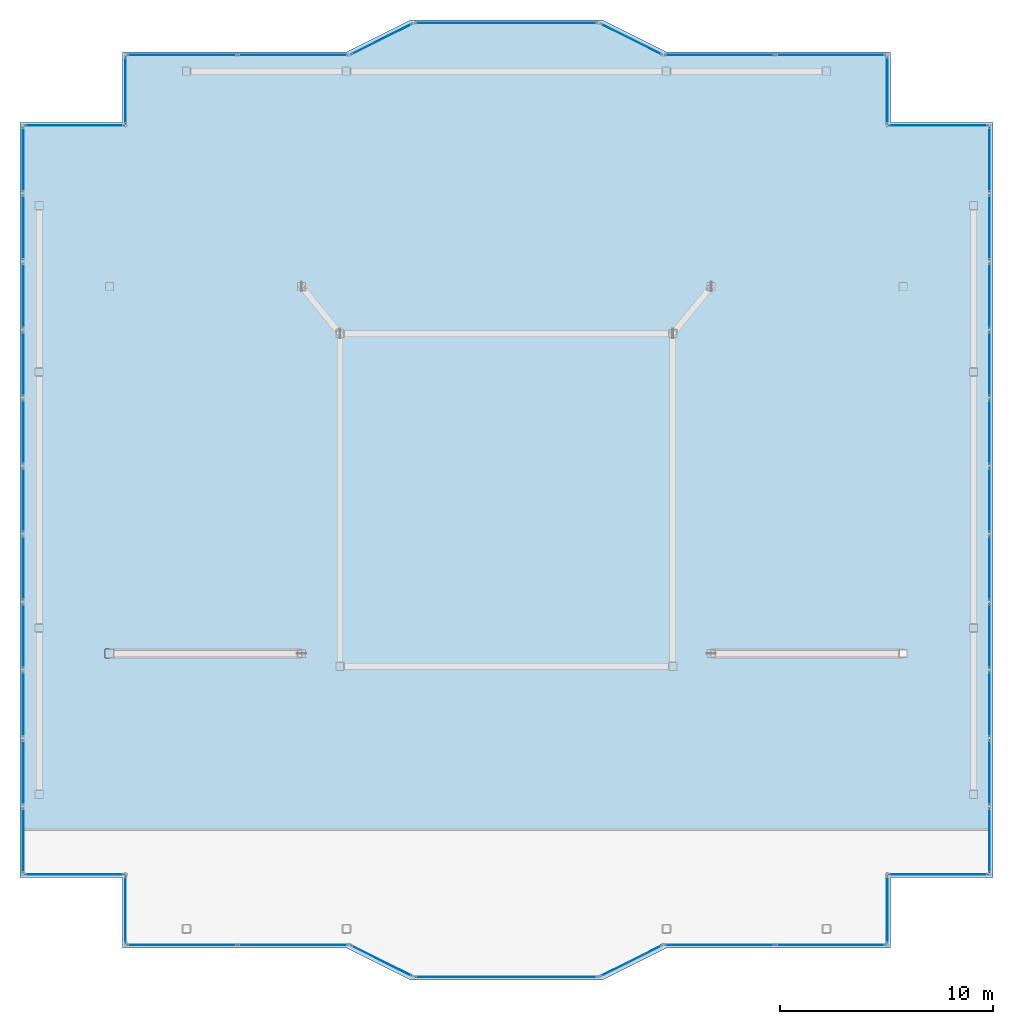
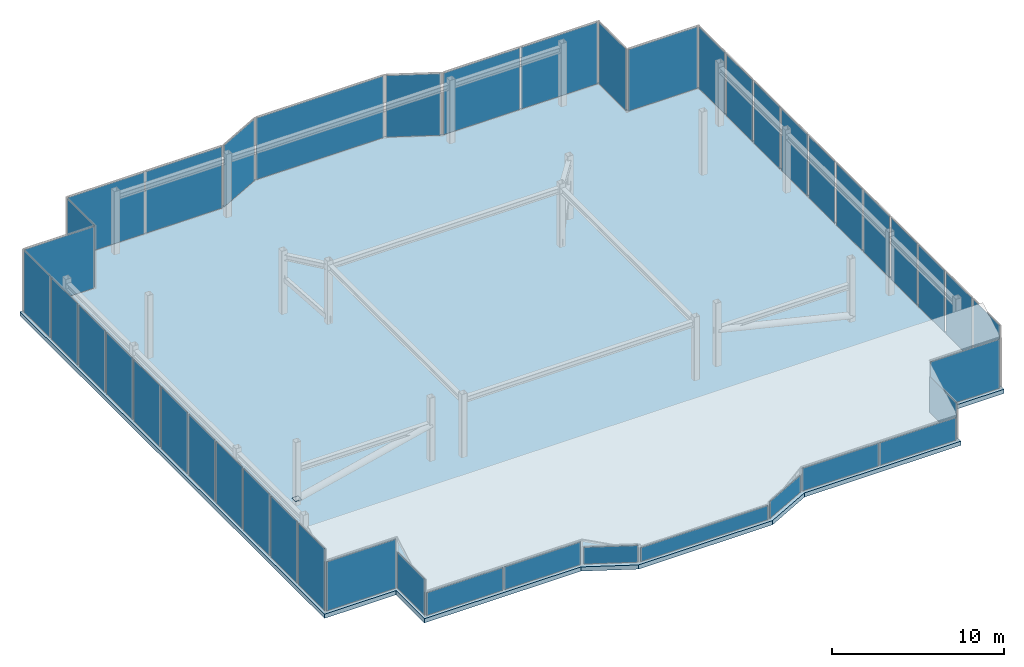
# One storey, part 13 of 16: 45 plates, 1 slab, 40 elements without a shape of their own.
"""IFC4 building model written with IfcOpenShell, lengths in metres."""

from ifc_helpers import new_model, si_unit, direction, frame, origin, origin_2d, place, context, subcontext, project, spatial, polyline, rectangle, outline, extrude, material, layer, layer_set, type_object, element, aggregate, save


model = new_model("IFC4")

# Units and contexts
model_context = context("Model", 3, precision=1e-05, world=origin(), true_north=direction((0.0, 1.0)))
body_context = subcontext(model_context, "Body", "Model", "MODEL_VIEW")
ifc_project = project(units=[si_unit("LENGTHUNIT", "METRE"), si_unit("AREAUNIT", "SQUARE_METRE"), si_unit("VOLUMEUNIT", "CUBIC_METRE"), si_unit("PLANEANGLEUNIT", "RADIAN"), si_unit("MASSUNIT", "GRAM", prefix="KILO")], contexts=[model_context])

# Site, building, storey
site_placement = place(None, origin())
site = spatial("IfcSite", under=ifc_project, at=site_placement, CompositionType="ELEMENT")
building_placement = place(site_placement, origin())
building = spatial("IfcBuilding", under=site, at=building_placement, Name="Tarnavaz Court Tower", CompositionType="ELEMENT")
storey_placement = place(building_placement, frame((0.0, 0.0, 290.550048828125)))
storey = spatial("IfcBuildingStorey", under=building, at=storey_placement, Name="C03", CompositionType="ELEMENT", Elevation=290.550048828125)

# Curtain wall, plates
ifc_material_1 = material(Name="Anodised Aluminium 6063-T6 and Solar Low-E Glazing", Category="aluminium")
ifc_layer_1 = layer(ifc_material_1, 0.2099609375)
ifc_layer_set_1 = layer_set([ifc_layer_1], Name="Anodised Aluminium 6063-T6 and Solar Low-E Glazing")
curtain_wall_type = type_object("IfcCurtainWallType", Name="CW-SYS-06", PredefinedType="NOTDEFINED", material=ifc_layer_set_1)
curtain_wall_1_placement = place(storey_placement, origin())
curtain_wall_1 = element("IfcCurtainWall", 1, at=curtain_wall_1_placement, inside=storey, type_object=curtain_wall_type, Name="C03 Slanted Crown Terracotta Curtain Wall 1", PredefinedType="NOTDEFINED")
ifc_material_2 = material(Name="Double-Glazed Solar Low-E Glass", Category="glass")
ifc_layer_2 = layer(ifc_material_2, 0.028076171875)
ifc_layer_set_2 = layer_set([ifc_layer_2], Name="Double-Glazed Solar Low-E Glass")
plate_type_1 = type_object("IfcPlateType", Name="CW-PAN-GLZ28", PredefinedType="CURTAIN_PANEL", material=ifc_layer_set_2)
plate_1_placement = place(storey_placement, frame((-9.996337890625, -20.85009765625, 0.06494140625), z_axis=(0.0, 0.0, 1.0), x_axis=(-1.0, 0.0, 0.0)))
plate_1 = element("IfcPlate", 2, at=plate_1_placement, type_object=plate_type_1, Name="CW panel 1.1", PredefinedType="CURTAIN_PANEL", context=body_context, shape_type="SweptSolid", body=[
    extrude(rectangle(XDim=5.12255859375, YDim=0.028076171875, at=origin_2d()), origin(), (0.0, 0.0, 1.0), 1.61328125),
])
plate_2_placement = place(storey_placement, frame((-15.203857421875, -20.85009765625, 0.06494140625), z_axis=(0.0, 0.0, 1.0), x_axis=(-1.0, 0.0, 0.0)))
plate_2 = element("IfcPlate", 3, at=plate_2_placement, type_object=plate_type_1, Name="CW panel 2.1", PredefinedType="CURTAIN_PANEL", context=body_context, shape_type="SweptSolid", body=[
    extrude(rectangle(XDim=5.12255859375, YDim=0.028076171875, at=origin_2d()), origin(), (0.0, 0.0, 1.0), 1.61328125),
])
aggregate(curtain_wall_1, [plate_1, plate_2])

# Curtain wall, plate
curtain_wall_2_placement = place(storey_placement, origin())
curtain_wall_2 = element("IfcCurtainWall", 4, at=curtain_wall_2_placement, inside=storey, type_object=curtain_wall_type, Name="C03 Slanted Crown Terracotta Curtain Wall 2", PredefinedType="NOTDEFINED")
plate_3_placement = place(storey_placement, frame((-17.85009765625, -19.199951171875, 0.06494140625), z_axis=(0.0, 0.0, 1.0), x_axis=(0.0, 1.0, 0.0)))
plate_3 = element("IfcPlate", 5, at=plate_3_placement, type_object=plate_type_1, Name="CW panel 1.1", PredefinedType="CURTAIN_PANEL", context=body_context, shape_type="SweptSolid", body=[
    extrude(rectangle(XDim=3.1298828125, YDim=0.028076171875, at=origin_2d()), origin(), (0.0, 0.0, 1.0), 2.54638671875),
])
aggregate(curtain_wall_2, [plate_3])

curtain_wall_3_placement = place(storey_placement, origin())
curtain_wall_3 = element("IfcCurtainWall", 6, at=curtain_wall_3_placement, inside=storey, type_object=curtain_wall_type, Name="C03 Slanted Crown Terracotta Curtain Wall 3", PredefinedType="NOTDEFINED")
plate_4_placement = place(storey_placement, frame((-20.25, -17.550048828125, 0.06494140625), z_axis=(0.0, 0.0, 1.0), x_axis=(-1.0, 0.0, 0.0)))
plate_4 = element("IfcPlate", 7, at=plate_4_placement, type_object=plate_type_1, Name="CW panel 1.1", PredefinedType="CURTAIN_PANEL", context=body_context, shape_type="SweptSolid", body=[
    extrude(rectangle(XDim=4.6298828125, YDim=0.028076171875, at=origin_2d()), origin(), (0.0, 0.0, 1.0), 3.4794921875),
])
aggregate(curtain_wall_3, [plate_4])

curtain_wall_4_placement = place(storey_placement, origin())
curtain_wall_4 = element("IfcCurtainWall", 8, at=curtain_wall_4_placement, inside=storey, type_object=curtain_wall_type, Name="C03 Slanted Crown Terracotta Curtain Wall 4", PredefinedType="NOTDEFINED")
plate_5_placement = place(storey_placement, frame((-22.64990234375, -15.95458984375, 0.06494140625), z_axis=(0.0, 0.0, 1.0), x_axis=(0.0, 1.0, 0.0)))
plate_5 = element("IfcPlate", 9, at=plate_5_placement, type_object=plate_type_1, Name="CW panel 1.1", PredefinedType="CURTAIN_PANEL", context=body_context, shape_type="SweptSolid", body=[
    extrude(rectangle(XDim=3.02099609375, YDim=0.028076171875, at=origin_2d()), origin(), (0.0, 0.0, 1.0), 4.3701171875),
])
aggregate(curtain_wall_4, [plate_5])

curtain_wall_5_placement = place(storey_placement, origin())
curtain_wall_5 = element("IfcCurtainWall", 10, at=curtain_wall_5_placement, inside=storey, type_object=curtain_wall_type, Name="C03 Slanted Crown Terracotta Curtain Wall 5", PredefinedType="NOTDEFINED")
plate_6_placement = place(storey_placement, frame((-22.64990234375, -12.763671875, 0.06494140625), z_axis=(0.0, 0.0, 1.0), x_axis=(0.0, 1.0, 0.0)))
plate_6 = element("IfcPlate", 11, at=plate_6_placement, type_object=plate_type_1, Name="CW panel 1.1", PredefinedType="CURTAIN_PANEL", context=body_context, shape_type="SweptSolid", body=[
    extrude(rectangle(XDim=3.02099609375, YDim=0.028076171875, at=origin_2d()), origin(), (0.0, 0.0, 1.0), 4.3701171875),
])
aggregate(curtain_wall_5, [plate_6])

curtain_wall_6_placement = place(storey_placement, origin())
curtain_wall_6 = element("IfcCurtainWall", 12, at=curtain_wall_6_placement, inside=storey, type_object=curtain_wall_type, Name="C03 Slanted Crown Terracotta Curtain Wall 6", PredefinedType="NOTDEFINED")
plate_7_placement = place(storey_placement, frame((-22.64990234375, -9.57275390625, 0.06494140625), z_axis=(0.0, 0.0, 1.0), x_axis=(0.0, 1.0, 0.0)))
plate_7 = element("IfcPlate", 13, at=plate_7_placement, type_object=plate_type_1, Name="CW panel 1.1", PredefinedType="CURTAIN_PANEL", context=body_context, shape_type="SweptSolid", body=[
    extrude(rectangle(XDim=3.02099609375, YDim=0.028076171875, at=origin_2d()), origin(), (0.0, 0.0, 1.0), 4.3701171875),
])
aggregate(curtain_wall_6, [plate_7])

curtain_wall_7_placement = place(storey_placement, origin())
curtain_wall_7 = element("IfcCurtainWall", 14, at=curtain_wall_7_placement, inside=storey, type_object=curtain_wall_type, Name="C03 Slanted Crown Terracotta Curtain Wall 7", PredefinedType="NOTDEFINED")
plate_8_placement = place(storey_placement, frame((-22.64990234375, -6.3818359375, 0.06494140625), z_axis=(0.0, 0.0, 1.0), x_axis=(0.0, 1.0, 0.0)))
plate_8 = element("IfcPlate", 15, at=plate_8_placement, type_object=plate_type_1, Name="CW panel 1.1", PredefinedType="CURTAIN_PANEL", context=body_context, shape_type="SweptSolid", body=[
    extrude(rectangle(XDim=3.02099609375, YDim=0.028076171875, at=origin_2d()), origin(), (0.0, 0.0, 1.0), 4.3701171875),
])
aggregate(curtain_wall_7, [plate_8])

curtain_wall_8_placement = place(storey_placement, origin())
curtain_wall_8 = element("IfcCurtainWall", 16, at=curtain_wall_8_placement, inside=storey, type_object=curtain_wall_type, Name="C03 Slanted Crown Terracotta Curtain Wall 8", PredefinedType="NOTDEFINED")
plate_9_placement = place(storey_placement, frame((-22.64990234375, -3.19091796875, 0.06494140625), z_axis=(0.0, 0.0, 1.0), x_axis=(0.0, 1.0, 0.0)))
plate_9 = element("IfcPlate", 17, at=plate_9_placement, type_object=plate_type_1, Name="CW panel 1.1", PredefinedType="CURTAIN_PANEL", context=body_context, shape_type="SweptSolid", body=[
    extrude(rectangle(XDim=3.02099609375, YDim=0.028076171875, at=origin_2d()), origin(), (0.0, 0.0, 1.0), 4.3701171875),
])
aggregate(curtain_wall_8, [plate_9])

curtain_wall_9_placement = place(storey_placement, origin())
curtain_wall_9 = element("IfcCurtainWall", 18, at=curtain_wall_9_placement, inside=storey, type_object=curtain_wall_type, Name="C03 Slanted Crown Terracotta Curtain Wall 9", PredefinedType="NOTDEFINED")
plate_10_placement = place(storey_placement, frame((-22.64990234375, 0.0, 0.06494140625), z_axis=(0.0, 0.0, 1.0), x_axis=(0.0, 1.0, 0.0)))
plate_10 = element("IfcPlate", 19, at=plate_10_placement, type_object=plate_type_1, Name="CW panel 1.1", PredefinedType="CURTAIN_PANEL", context=body_context, shape_type="SweptSolid", body=[
    extrude(rectangle(XDim=3.02099609375, YDim=0.028076171875, at=origin_2d()), origin(), (0.0, 0.0, 1.0), 4.3701171875),
])
aggregate(curtain_wall_9, [plate_10])

curtain_wall_10_placement = place(storey_placement, origin())
curtain_wall_10 = element("IfcCurtainWall", 20, at=curtain_wall_10_placement, inside=storey, type_object=curtain_wall_type, Name="C03 Slanted Crown Terracotta Curtain Wall 10", PredefinedType="NOTDEFINED")
plate_11_placement = place(storey_placement, frame((-22.64990234375, 3.19091796875, 0.06494140625), z_axis=(0.0, 0.0, 1.0), x_axis=(0.0, 1.0, 0.0)))
plate_11 = element("IfcPlate", 21, at=plate_11_placement, type_object=plate_type_1, Name="CW panel 1.1", PredefinedType="CURTAIN_PANEL", context=body_context, shape_type="SweptSolid", body=[
    extrude(rectangle(XDim=3.02099609375, YDim=0.028076171875, at=origin_2d()), origin(), (0.0, 0.0, 1.0), 4.3701171875),
])
aggregate(curtain_wall_10, [plate_11])

curtain_wall_11_placement = place(storey_placement, origin())
curtain_wall_11 = element("IfcCurtainWall", 22, at=curtain_wall_11_placement, inside=storey, type_object=curtain_wall_type, Name="C03 Slanted Crown Terracotta Curtain Wall 11", PredefinedType="NOTDEFINED")
plate_12_placement = place(storey_placement, frame((-22.64990234375, 6.3818359375, 0.06494140625), z_axis=(0.0, 0.0, 1.0), x_axis=(0.0, 1.0, 0.0)))
plate_12 = element("IfcPlate", 23, at=plate_12_placement, type_object=plate_type_1, Name="CW panel 1.1", PredefinedType="CURTAIN_PANEL", context=body_context, shape_type="SweptSolid", body=[
    extrude(rectangle(XDim=3.02099609375, YDim=0.028076171875, at=origin_2d()), origin(), (0.0, 0.0, 1.0), 4.3701171875),
])
aggregate(curtain_wall_11, [plate_12])

curtain_wall_12_placement = place(storey_placement, origin())
curtain_wall_12 = element("IfcCurtainWall", 24, at=curtain_wall_12_placement, inside=storey, type_object=curtain_wall_type, Name="C03 Slanted Crown Terracotta Curtain Wall 12", PredefinedType="NOTDEFINED")
plate_13_placement = place(storey_placement, frame((-22.64990234375, 9.57275390625, 0.06494140625), z_axis=(0.0, 0.0, 1.0), x_axis=(0.0, 1.0, 0.0)))
plate_13 = element("IfcPlate", 25, at=plate_13_placement, type_object=plate_type_1, Name="CW panel 1.1", PredefinedType="CURTAIN_PANEL", context=body_context, shape_type="SweptSolid", body=[
    extrude(rectangle(XDim=3.02099609375, YDim=0.028076171875, at=origin_2d()), origin(), (0.0, 0.0, 1.0), 4.3701171875),
])
aggregate(curtain_wall_12, [plate_13])

curtain_wall_13_placement = place(storey_placement, origin())
curtain_wall_13 = element("IfcCurtainWall", 26, at=curtain_wall_13_placement, inside=storey, type_object=curtain_wall_type, Name="C03 Slanted Crown Terracotta Curtain Wall 13", PredefinedType="NOTDEFINED")
plate_14_placement = place(storey_placement, frame((-22.64990234375, 12.763671875, 0.06494140625), z_axis=(0.0, 0.0, 1.0), x_axis=(0.0, 1.0, 0.0)))
plate_14 = element("IfcPlate", 27, at=plate_14_placement, type_object=plate_type_1, Name="CW panel 1.1", PredefinedType="CURTAIN_PANEL", context=body_context, shape_type="SweptSolid", body=[
    extrude(rectangle(XDim=3.02099609375, YDim=0.028076171875, at=origin_2d()), origin(), (0.0, 0.0, 1.0), 4.3701171875),
])
aggregate(curtain_wall_13, [plate_14])

curtain_wall_14_placement = place(storey_placement, origin())
curtain_wall_14 = element("IfcCurtainWall", 28, at=curtain_wall_14_placement, inside=storey, type_object=curtain_wall_type, Name="C03 Slanted Crown Terracotta Curtain Wall 14", PredefinedType="NOTDEFINED")
plate_15_placement = place(storey_placement, frame((-22.64990234375, 15.95458984375, 0.06494140625), z_axis=(0.0, 0.0, 1.0), x_axis=(0.0, 1.0, 0.0)))
plate_15 = element("IfcPlate", 29, at=plate_15_placement, type_object=plate_type_1, Name="CW panel 1.1", PredefinedType="CURTAIN_PANEL", context=body_context, shape_type="SweptSolid", body=[
    extrude(rectangle(XDim=3.02099609375, YDim=0.028076171875, at=origin_2d()), origin(), (0.0, 0.0, 1.0), 4.3701171875),
])
aggregate(curtain_wall_14, [plate_15])

curtain_wall_15_placement = place(storey_placement, origin())
curtain_wall_15 = element("IfcCurtainWall", 30, at=curtain_wall_15_placement, inside=storey, type_object=curtain_wall_type, Name="C03 Slanted Crown Terracotta Curtain Wall 15", PredefinedType="NOTDEFINED")
plate_16_placement = place(storey_placement, frame((-20.25, 17.550048828125, 0.06494140625), z_axis=(0.0, 0.0, 1.0), x_axis=(1.0, 0.0, 0.0)))
plate_16 = element("IfcPlate", 31, at=plate_16_placement, type_object=plate_type_1, Name="CW panel 1.1", PredefinedType="CURTAIN_PANEL", context=body_context, shape_type="SweptSolid", body=[
    extrude(rectangle(XDim=4.6298828125, YDim=0.028076171875, at=origin_2d()), origin(), (0.0, 0.0, 1.0), 4.3701171875),
])
aggregate(curtain_wall_15, [plate_16])

curtain_wall_16_placement = place(storey_placement, origin())
curtain_wall_16 = element("IfcCurtainWall", 32, at=curtain_wall_16_placement, inside=storey, type_object=curtain_wall_type, Name="C03 Slanted Crown Terracotta Curtain Wall 16", PredefinedType="NOTDEFINED")
plate_17_placement = place(storey_placement, frame((-17.85009765625, 19.199951171875, 0.06494140625), z_axis=(0.0, 0.0, 1.0), x_axis=(0.0, 1.0, 0.0)))
plate_17 = element("IfcPlate", 33, at=plate_17_placement, type_object=plate_type_1, Name="CW panel 1.1", PredefinedType="CURTAIN_PANEL", context=body_context, shape_type="SweptSolid", body=[
    extrude(rectangle(XDim=3.1298828125, YDim=0.028076171875, at=origin_2d()), origin(), (0.0, 0.0, 1.0), 4.3701171875),
])
aggregate(curtain_wall_16, [plate_17])

# Curtain wall, plates
curtain_wall_17_placement = place(storey_placement, origin())
curtain_wall_17 = element("IfcCurtainWall", 34, at=curtain_wall_17_placement, inside=storey, type_object=curtain_wall_type, Name="C03 Slanted Crown Terracotta Curtain Wall 17", PredefinedType="NOTDEFINED")
plate_18_placement = place(storey_placement, frame((-15.203857421875, 20.85009765625, 0.06494140625), z_axis=(0.0, 0.0, 1.0), x_axis=(1.0, 0.0, 0.0)))
plate_18 = element("IfcPlate", 35, at=plate_18_placement, type_object=plate_type_1, Name="CW panel 1.1", PredefinedType="CURTAIN_PANEL", context=body_context, shape_type="SweptSolid", body=[
    extrude(rectangle(XDim=5.12255859375, YDim=0.028076171875, at=origin_2d()), origin(), (0.0, 0.0, 1.0), 4.3701171875),
])
plate_19_placement = place(storey_placement, frame((-9.996337890625, 20.85009765625, 0.06494140625), z_axis=(0.0, 0.0, 1.0), x_axis=(1.0, 0.0, 0.0)))
plate_19 = element("IfcPlate", 36, at=plate_19_placement, type_object=plate_type_1, Name="CW panel 2.1", PredefinedType="CURTAIN_PANEL", context=body_context, shape_type="SweptSolid", body=[
    extrude(rectangle(XDim=5.12255859375, YDim=0.028076171875, at=origin_2d()), origin(), (0.0, 0.0, 1.0), 4.3701171875),
])
aggregate(curtain_wall_17, [plate_18, plate_19])

# Curtain wall, plate
curtain_wall_18_placement = place(storey_placement, origin())
curtain_wall_18 = element("IfcCurtainWall", 37, at=curtain_wall_18_placement, inside=storey, type_object=curtain_wall_type, Name="C03 Slanted Crown Terracotta Curtain Wall 18", PredefinedType="NOTDEFINED")
plate_20_placement = place(storey_placement, frame((-5.85009765625, 21.60009765625, 0.06494140625), z_axis=(0.0, 0.0, 1.0), x_axis=(0.894427191001, 0.447213595499, 0.0)))
plate_20 = element("IfcPlate", 38, at=plate_20_placement, type_object=plate_type_1, Name="CW panel 1.1", PredefinedType="CURTAIN_PANEL", context=body_context, shape_type="SweptSolid", body=[
    extrude(rectangle(XDim=3.18408203125, YDim=0.028076171875, at=origin_2d()), origin(), (0.0, 0.0, 1.0), 4.3701171875),
])
aggregate(curtain_wall_18, [plate_20])

curtain_wall_19_placement = place(storey_placement, origin())
curtain_wall_19 = element("IfcCurtainWall", 39, at=curtain_wall_19_placement, inside=storey, type_object=curtain_wall_type, Name="C03 Slanted Crown Terracotta Curtain Wall 19", PredefinedType="NOTDEFINED")
plate_21_placement = place(storey_placement, frame((0.0, 22.35009765625, 0.06494140625), z_axis=(0.0, 0.0, 1.0), x_axis=(1.0, 0.0, 0.0)))
plate_21 = element("IfcPlate", 40, at=plate_21_placement, type_object=plate_type_1, Name="CW panel 1.1", PredefinedType="CURTAIN_PANEL", context=body_context, shape_type="SweptSolid", body=[
    extrude(rectangle(XDim=8.530029296875, YDim=0.028076171875, at=origin_2d()), origin(), (0.0, 0.0, 1.0), 4.3701171875),
])
aggregate(curtain_wall_19, [plate_21])

curtain_wall_20_placement = place(storey_placement, origin())
curtain_wall_20 = element("IfcCurtainWall", 41, at=curtain_wall_20_placement, inside=storey, type_object=curtain_wall_type, Name="C03 Slanted Crown Terracotta Curtain Wall 20", PredefinedType="NOTDEFINED")
plate_22_placement = place(storey_placement, frame((5.85009765625, 21.60009765625, 0.06494140625), z_axis=(0.0, 0.0, 1.0), x_axis=(0.894427191001, -0.447213595499, 0.0)))
plate_22 = element("IfcPlate", 42, at=plate_22_placement, type_object=plate_type_1, Name="CW panel 1.1", PredefinedType="CURTAIN_PANEL", context=body_context, shape_type="SweptSolid", body=[
    extrude(rectangle(XDim=3.18408203125, YDim=0.028076171875, at=origin_2d()), origin(), (0.0, 0.0, 1.0), 4.3701171875),
])
aggregate(curtain_wall_20, [plate_22])

# Curtain wall, plates
curtain_wall_21_placement = place(storey_placement, origin())
curtain_wall_21 = element("IfcCurtainWall", 43, at=curtain_wall_21_placement, inside=storey, type_object=curtain_wall_type, Name="C03 Slanted Crown Terracotta Curtain Wall 21", PredefinedType="NOTDEFINED")
plate_23_placement = place(storey_placement, frame((9.996337890625, 20.85009765625, 0.06494140625), z_axis=(0.0, 0.0, 1.0), x_axis=(1.0, 0.0, 0.0)))
plate_23 = element("IfcPlate", 44, at=plate_23_placement, type_object=plate_type_1, Name="CW panel 1.1", PredefinedType="CURTAIN_PANEL", context=body_context, shape_type="SweptSolid", body=[
    extrude(rectangle(XDim=5.12255859375, YDim=0.028076171875, at=origin_2d()), origin(), (0.0, 0.0, 1.0), 4.3701171875),
])
plate_24_placement = place(storey_placement, frame((15.203857421875, 20.85009765625, 0.06494140625), z_axis=(0.0, 0.0, 1.0), x_axis=(1.0, 0.0, 0.0)))
plate_24 = element("IfcPlate", 45, at=plate_24_placement, type_object=plate_type_1, Name="CW panel 2.1", PredefinedType="CURTAIN_PANEL", context=body_context, shape_type="SweptSolid", body=[
    extrude(rectangle(XDim=5.12255859375, YDim=0.028076171875, at=origin_2d()), origin(), (0.0, 0.0, 1.0), 4.3701171875),
])
aggregate(curtain_wall_21, [plate_23, plate_24])

# Curtain wall, plate
curtain_wall_22_placement = place(storey_placement, origin())
curtain_wall_22 = element("IfcCurtainWall", 46, at=curtain_wall_22_placement, inside=storey, type_object=curtain_wall_type, Name="C03 Slanted Crown Terracotta Curtain Wall 22", PredefinedType="NOTDEFINED")
plate_25_placement = place(storey_placement, frame((17.85009765625, 19.199951171875, 0.06494140625), z_axis=(0.0, 0.0, 1.0), x_axis=(0.0, -1.0, 0.0)))
plate_25 = element("IfcPlate", 47, at=plate_25_placement, type_object=plate_type_1, Name="CW panel 1.1", PredefinedType="CURTAIN_PANEL", context=body_context, shape_type="SweptSolid", body=[
    extrude(rectangle(XDim=3.1298828125, YDim=0.028076171875, at=origin_2d()), origin(), (0.0, 0.0, 1.0), 4.3701171875),
])
aggregate(curtain_wall_22, [plate_25])

curtain_wall_23_placement = place(storey_placement, origin())
curtain_wall_23 = element("IfcCurtainWall", 48, at=curtain_wall_23_placement, inside=storey, type_object=curtain_wall_type, Name="C03 Slanted Crown Terracotta Curtain Wall 23", PredefinedType="NOTDEFINED")
plate_26_placement = place(storey_placement, frame((20.25, 17.550048828125, 0.06494140625), z_axis=(0.0, 0.0, 1.0), x_axis=(1.0, 0.0, 0.0)))
plate_26 = element("IfcPlate", 49, at=plate_26_placement, type_object=plate_type_1, Name="CW panel 1.1", PredefinedType="CURTAIN_PANEL", context=body_context, shape_type="SweptSolid", body=[
    extrude(rectangle(XDim=4.6298828125, YDim=0.028076171875, at=origin_2d()), origin(), (0.0, 0.0, 1.0), 4.3701171875),
])
aggregate(curtain_wall_23, [plate_26])

curtain_wall_24_placement = place(storey_placement, origin())
curtain_wall_24 = element("IfcCurtainWall", 50, at=curtain_wall_24_placement, inside=storey, type_object=curtain_wall_type, Name="C03 Slanted Crown Terracotta Curtain Wall 24", PredefinedType="NOTDEFINED")
plate_27_placement = place(storey_placement, frame((22.64990234375, 15.95458984375, 0.06494140625), z_axis=(0.0, 0.0, 1.0), x_axis=(0.0, -1.0, 0.0)))
plate_27 = element("IfcPlate", 51, at=plate_27_placement, type_object=plate_type_1, Name="CW panel 1.1", PredefinedType="CURTAIN_PANEL", context=body_context, shape_type="SweptSolid", body=[
    extrude(rectangle(XDim=3.02099609375, YDim=0.028076171875, at=origin_2d()), origin(), (0.0, 0.0, 1.0), 4.3701171875),
])
aggregate(curtain_wall_24, [plate_27])

curtain_wall_25_placement = place(storey_placement, origin())
curtain_wall_25 = element("IfcCurtainWall", 52, at=curtain_wall_25_placement, inside=storey, type_object=curtain_wall_type, Name="C03 Slanted Crown Terracotta Curtain Wall 25", PredefinedType="NOTDEFINED")
plate_28_placement = place(storey_placement, frame((22.64990234375, 12.763671875, 0.06494140625), z_axis=(0.0, 0.0, 1.0), x_axis=(0.0, -1.0, 0.0)))
plate_28 = element("IfcPlate", 53, at=plate_28_placement, type_object=plate_type_1, Name="CW panel 1.1", PredefinedType="CURTAIN_PANEL", context=body_context, shape_type="SweptSolid", body=[
    extrude(rectangle(XDim=3.02099609375, YDim=0.028076171875, at=origin_2d()), origin(), (0.0, 0.0, 1.0), 4.3701171875),
])
aggregate(curtain_wall_25, [plate_28])

curtain_wall_26_placement = place(storey_placement, origin())
curtain_wall_26 = element("IfcCurtainWall", 54, at=curtain_wall_26_placement, inside=storey, type_object=curtain_wall_type, Name="C03 Slanted Crown Terracotta Curtain Wall 26", PredefinedType="NOTDEFINED")
plate_29_placement = place(storey_placement, frame((22.64990234375, 9.57275390625, 0.06494140625), z_axis=(0.0, 0.0, 1.0), x_axis=(0.0, -1.0, 0.0)))
plate_29 = element("IfcPlate", 55, at=plate_29_placement, type_object=plate_type_1, Name="CW panel 1.1", PredefinedType="CURTAIN_PANEL", context=body_context, shape_type="SweptSolid", body=[
    extrude(rectangle(XDim=3.02099609375, YDim=0.028076171875, at=origin_2d()), origin(), (0.0, 0.0, 1.0), 4.3701171875),
])
aggregate(curtain_wall_26, [plate_29])

curtain_wall_27_placement = place(storey_placement, origin())
curtain_wall_27 = element("IfcCurtainWall", 56, at=curtain_wall_27_placement, inside=storey, type_object=curtain_wall_type, Name="C03 Slanted Crown Terracotta Curtain Wall 27", PredefinedType="NOTDEFINED")
plate_30_placement = place(storey_placement, frame((22.64990234375, 6.3818359375, 0.06494140625), z_axis=(0.0, 0.0, 1.0), x_axis=(0.0, -1.0, 0.0)))
plate_30 = element("IfcPlate", 57, at=plate_30_placement, type_object=plate_type_1, Name="CW panel 1.1", PredefinedType="CURTAIN_PANEL", context=body_context, shape_type="SweptSolid", body=[
    extrude(rectangle(XDim=3.02099609375, YDim=0.028076171875, at=origin_2d()), origin(), (0.0, 0.0, 1.0), 4.3701171875),
])
aggregate(curtain_wall_27, [plate_30])

curtain_wall_28_placement = place(storey_placement, origin())
curtain_wall_28 = element("IfcCurtainWall", 58, at=curtain_wall_28_placement, inside=storey, type_object=curtain_wall_type, Name="C03 Slanted Crown Terracotta Curtain Wall 28", PredefinedType="NOTDEFINED")
plate_31_placement = place(storey_placement, frame((22.64990234375, 3.19091796875, 0.06494140625), z_axis=(0.0, 0.0, 1.0), x_axis=(0.0, -1.0, 0.0)))
plate_31 = element("IfcPlate", 59, at=plate_31_placement, type_object=plate_type_1, Name="CW panel 1.1", PredefinedType="CURTAIN_PANEL", context=body_context, shape_type="SweptSolid", body=[
    extrude(rectangle(XDim=3.02099609375, YDim=0.028076171875, at=origin_2d()), origin(), (0.0, 0.0, 1.0), 4.3701171875),
])
aggregate(curtain_wall_28, [plate_31])

curtain_wall_29_placement = place(storey_placement, origin())
curtain_wall_29 = element("IfcCurtainWall", 60, at=curtain_wall_29_placement, inside=storey, type_object=curtain_wall_type, Name="C03 Slanted Crown Terracotta Curtain Wall 29", PredefinedType="NOTDEFINED")
plate_32_placement = place(storey_placement, frame((22.64990234375, 0.0, 0.06494140625), z_axis=(0.0, 0.0, 1.0), x_axis=(0.0, -1.0, 0.0)))
plate_32 = element("IfcPlate", 61, at=plate_32_placement, type_object=plate_type_1, Name="CW panel 1.1", PredefinedType="CURTAIN_PANEL", context=body_context, shape_type="SweptSolid", body=[
    extrude(rectangle(XDim=3.02099609375, YDim=0.028076171875, at=origin_2d()), origin(), (0.0, 0.0, 1.0), 4.3701171875),
])
aggregate(curtain_wall_29, [plate_32])

curtain_wall_30_placement = place(storey_placement, origin())
curtain_wall_30 = element("IfcCurtainWall", 62, at=curtain_wall_30_placement, inside=storey, type_object=curtain_wall_type, Name="C03 Slanted Crown Terracotta Curtain Wall 30", PredefinedType="NOTDEFINED")
plate_33_placement = place(storey_placement, frame((22.64990234375, -3.19091796875, 0.06494140625), z_axis=(0.0, 0.0, 1.0), x_axis=(0.0, -1.0, 0.0)))
plate_33 = element("IfcPlate", 63, at=plate_33_placement, type_object=plate_type_1, Name="CW panel 1.1", PredefinedType="CURTAIN_PANEL", context=body_context, shape_type="SweptSolid", body=[
    extrude(rectangle(XDim=3.02099609375, YDim=0.028076171875, at=origin_2d()), origin(), (0.0, 0.0, 1.0), 4.3701171875),
])
aggregate(curtain_wall_30, [plate_33])

curtain_wall_31_placement = place(storey_placement, origin())
curtain_wall_31 = element("IfcCurtainWall", 64, at=curtain_wall_31_placement, inside=storey, type_object=curtain_wall_type, Name="C03 Slanted Crown Terracotta Curtain Wall 31", PredefinedType="NOTDEFINED")
plate_34_placement = place(storey_placement, frame((22.64990234375, -6.3818359375, 0.06494140625), z_axis=(0.0, 0.0, 1.0), x_axis=(0.0, -1.0, 0.0)))
plate_34 = element("IfcPlate", 65, at=plate_34_placement, type_object=plate_type_1, Name="CW panel 1.1", PredefinedType="CURTAIN_PANEL", context=body_context, shape_type="SweptSolid", body=[
    extrude(rectangle(XDim=3.02099609375, YDim=0.028076171875, at=origin_2d()), origin(), (0.0, 0.0, 1.0), 4.3701171875),
])
aggregate(curtain_wall_31, [plate_34])

curtain_wall_32_placement = place(storey_placement, origin())
curtain_wall_32 = element("IfcCurtainWall", 66, at=curtain_wall_32_placement, inside=storey, type_object=curtain_wall_type, Name="C03 Slanted Crown Terracotta Curtain Wall 32", PredefinedType="NOTDEFINED")
plate_35_placement = place(storey_placement, frame((22.64990234375, -9.57275390625, 0.06494140625), z_axis=(0.0, 0.0, 1.0), x_axis=(0.0, -1.0, 0.0)))
plate_35 = element("IfcPlate", 67, at=plate_35_placement, type_object=plate_type_1, Name="CW panel 1.1", PredefinedType="CURTAIN_PANEL", context=body_context, shape_type="SweptSolid", body=[
    extrude(rectangle(XDim=3.02099609375, YDim=0.028076171875, at=origin_2d()), origin(), (0.0, 0.0, 1.0), 4.3701171875),
])
aggregate(curtain_wall_32, [plate_35])

curtain_wall_33_placement = place(storey_placement, origin())
curtain_wall_33 = element("IfcCurtainWall", 68, at=curtain_wall_33_placement, inside=storey, type_object=curtain_wall_type, Name="C03 Slanted Crown Terracotta Curtain Wall 33", PredefinedType="NOTDEFINED")
plate_36_placement = place(storey_placement, frame((22.64990234375, -12.763671875, 0.06494140625), z_axis=(0.0, 0.0, 1.0), x_axis=(0.0, -1.0, 0.0)))
plate_36 = element("IfcPlate", 69, at=plate_36_placement, type_object=plate_type_1, Name="CW panel 1.1", PredefinedType="CURTAIN_PANEL", context=body_context, shape_type="SweptSolid", body=[
    extrude(rectangle(XDim=3.02099609375, YDim=0.028076171875, at=origin_2d()), origin(), (0.0, 0.0, 1.0), 4.3701171875),
])
aggregate(curtain_wall_33, [plate_36])

curtain_wall_34_placement = place(storey_placement, origin())
curtain_wall_34 = element("IfcCurtainWall", 70, at=curtain_wall_34_placement, inside=storey, type_object=curtain_wall_type, Name="C03 Slanted Crown Terracotta Curtain Wall 34", PredefinedType="NOTDEFINED")
plate_37_placement = place(storey_placement, frame((22.64990234375, -15.95458984375, 0.06494140625), z_axis=(0.0, 0.0, 1.0), x_axis=(0.0, -1.0, 0.0)))
plate_37 = element("IfcPlate", 71, at=plate_37_placement, type_object=plate_type_1, Name="CW panel 1.1", PredefinedType="CURTAIN_PANEL", context=body_context, shape_type="SweptSolid", body=[
    extrude(rectangle(XDim=3.02099609375, YDim=0.028076171875, at=origin_2d()), origin(), (0.0, 0.0, 1.0), 4.3701171875),
])
aggregate(curtain_wall_34, [plate_37])

curtain_wall_35_placement = place(storey_placement, origin())
curtain_wall_35 = element("IfcCurtainWall", 72, at=curtain_wall_35_placement, inside=storey, type_object=curtain_wall_type, Name="C03 Slanted Crown Terracotta Curtain Wall 35", PredefinedType="NOTDEFINED")
plate_38_placement = place(storey_placement, frame((20.25, -17.550048828125, 0.06494140625), z_axis=(0.0, 0.0, 1.0), x_axis=(-1.0, 0.0, 0.0)))
plate_38 = element("IfcPlate", 73, at=plate_38_placement, type_object=plate_type_1, Name="CW panel 1.1", PredefinedType="CURTAIN_PANEL", context=body_context, shape_type="SweptSolid", body=[
    extrude(rectangle(XDim=4.6298828125, YDim=0.028076171875, at=origin_2d()), origin(), (0.0, 0.0, 1.0), 3.4794921875),
])
aggregate(curtain_wall_35, [plate_38])

curtain_wall_36_placement = place(storey_placement, origin())
curtain_wall_36 = element("IfcCurtainWall", 74, at=curtain_wall_36_placement, inside=storey, type_object=curtain_wall_type, Name="C03 Slanted Crown Terracotta Curtain Wall 36", PredefinedType="NOTDEFINED")
plate_39_placement = place(storey_placement, frame((17.85009765625, -19.199951171875, 0.06494140625), z_axis=(0.0, 0.0, 1.0), x_axis=(0.0, -1.0, 0.0)))
plate_39 = element("IfcPlate", 75, at=plate_39_placement, type_object=plate_type_1, Name="CW panel 1.1", PredefinedType="CURTAIN_PANEL", context=body_context, shape_type="SweptSolid", body=[
    extrude(rectangle(XDim=3.1298828125, YDim=0.028076171875, at=origin_2d()), origin(), (0.0, 0.0, 1.0), 2.54638671875),
])
aggregate(curtain_wall_36, [plate_39])

# Curtain wall, plates
curtain_wall_37_placement = place(storey_placement, origin())
curtain_wall_37 = element("IfcCurtainWall", 76, at=curtain_wall_37_placement, inside=storey, type_object=curtain_wall_type, Name="C03 Slanted Crown Terracotta Curtain Wall 37", PredefinedType="NOTDEFINED")
plate_40_placement = place(storey_placement, frame((15.203857421875, -20.85009765625, 0.06494140625), z_axis=(0.0, 0.0, 1.0), x_axis=(-1.0, 0.0, 0.0)))
plate_40 = element("IfcPlate", 77, at=plate_40_placement, type_object=plate_type_1, Name="CW panel 1.1", PredefinedType="CURTAIN_PANEL", context=body_context, shape_type="SweptSolid", body=[
    extrude(rectangle(XDim=5.12255859375, YDim=0.028076171875, at=origin_2d()), origin(), (0.0, 0.0, 1.0), 1.61328125),
])
plate_41_placement = place(storey_placement, frame((9.996337890625, -20.85009765625, 0.06494140625), z_axis=(0.0, 0.0, 1.0), x_axis=(-1.0, 0.0, 0.0)))
plate_41 = element("IfcPlate", 78, at=plate_41_placement, type_object=plate_type_1, Name="CW panel 2.1", PredefinedType="CURTAIN_PANEL", context=body_context, shape_type="SweptSolid", body=[
    extrude(rectangle(XDim=5.12255859375, YDim=0.028076171875, at=origin_2d()), origin(), (0.0, 0.0, 1.0), 1.61328125),
])
aggregate(curtain_wall_37, [plate_40, plate_41])

# Curtain wall, plate
curtain_wall_38_placement = place(storey_placement, origin())
curtain_wall_38 = element("IfcCurtainWall", 79, at=curtain_wall_38_placement, inside=storey, type_object=curtain_wall_type, Name="C03 Slanted Crown Terracotta Curtain Wall 38", PredefinedType="NOTDEFINED")
plate_42_placement = place(storey_placement, frame((5.85009765625, -21.60009765625, 0.06494140625), z_axis=(0.0, 0.0, 1.0), x_axis=(-0.894427191001, -0.447213595499, 0.0)))
plate_42 = element("IfcPlate", 80, at=plate_42_placement, type_object=plate_type_1, Name="CW panel 1.1", PredefinedType="CURTAIN_PANEL", context=body_context, shape_type="SweptSolid", body=[
    extrude(rectangle(XDim=3.18408203125, YDim=0.028076171875, at=origin_2d()), origin(), (0.0, 0.0, 1.0), 1.18896484375),
])
aggregate(curtain_wall_38, [plate_42])

curtain_wall_39_placement = place(storey_placement, origin())
curtain_wall_39 = element("IfcCurtainWall", 81, at=curtain_wall_39_placement, inside=storey, type_object=curtain_wall_type, Name="C03 Slanted Crown Terracotta Curtain Wall 39", PredefinedType="NOTDEFINED")
plate_43_placement = place(storey_placement, frame((0.0, -22.35009765625, 0.06494140625), z_axis=(0.0, 0.0, 1.0), x_axis=(-1.0, 0.0, 0.0)))
plate_43 = element("IfcPlate", 82, at=plate_43_placement, type_object=plate_type_1, Name="CW panel 1.1", PredefinedType="CURTAIN_PANEL", context=body_context, shape_type="SweptSolid", body=[
    extrude(rectangle(XDim=8.530029296875, YDim=0.028076171875, at=origin_2d()), origin(), (0.0, 0.0, 1.0), 0.989990234375),
])
aggregate(curtain_wall_39, [plate_43])

curtain_wall_40_placement = place(storey_placement, origin())
curtain_wall_40 = element("IfcCurtainWall", 83, at=curtain_wall_40_placement, inside=storey, type_object=curtain_wall_type, Name="C03 Slanted Crown Terracotta Curtain Wall 40", PredefinedType="NOTDEFINED")
plate_44_placement = place(storey_placement, frame((-5.85009765625, -21.60009765625, 0.06494140625), z_axis=(0.0, 0.0, 1.0), x_axis=(-0.894427191001, 0.447213595499, 0.0)))
plate_44 = element("IfcPlate", 84, at=plate_44_placement, type_object=plate_type_1, Name="CW panel 1.1", PredefinedType="CURTAIN_PANEL", context=body_context, shape_type="SweptSolid", body=[
    extrude(rectangle(XDim=3.18408203125, YDim=0.028076171875, at=origin_2d()), origin(), (0.0, 0.0, 1.0), 1.18896484375),
])
aggregate(curtain_wall_40, [plate_44])

# Plate
ifc_material_3 = material(Name="Steel S355", Category="steel")
ifc_layer_3 = layer(ifc_material_3, 0.02490234375)
ifc_layer_set_3 = layer_set([ifc_layer_3], Name="Steel S355")
plate_type_2 = type_object("IfcPlateType", Name="PL-CAP-25", PredefinedType="USERDEFINED", material=ifc_layer_set_3)
plate_45_placement = place(storey_placement, frame((-18.60009765625, -7.199951171875, 0.33740234375), z_axis=(0.0, 0.0, 1.0), x_axis=(1.0, 0.0, 0.0)))
element("IfcPlate", 85, at=plate_45_placement, inside=storey, type_object=plate_type_2, Name="C03 Crown Brace Node Cap Plate W", ObjectType="CAP PLATE", PredefinedType="USERDEFINED", context=body_context, shape_type="SweptSolid", body=[
    extrude(rectangle(XDim=0.419921875, YDim=0.419921875, at=origin_2d()), origin(), (0.0, 0.0, 1.0), 0.02490234375),
])

# Slab
ifc_material_4 = material(Name="Concrete C40/50", Category="concrete")
ifc_layer_4 = layer(ifc_material_4, 0.300048828125)
ifc_layer_set_4 = layer_set([ifc_layer_4], Name="Concrete C40/50")
slab_type = type_object("IfcSlabType", Name="SL-ROOF-300", PredefinedType="ROOF", material=ifc_layer_set_4)
slab_placement = place(storey_placement, frame((0.0, 0.0, -0.300048828125)))
element("IfcSlab", 86, at=slab_placement, inside=storey, type_object=slab_type, Name="C03 Structural Floor Slab", PredefinedType="ROOF", context=body_context, shape_type="SweptSolid", body=[
    extrude(outline(polyline([(-7.5, -21.0), (-18.0, -21.0), (-18.0, -17.699951171875), (-22.800048828125, -17.699951171875), (-22.800048828125, 17.699951171875), (-18.0, 17.699951171875), (-18.0, 21.0), (-7.5, 21.0), (-4.5, 22.5), (4.5, 22.5), (7.5, 21.0), (18.0, 21.0), (18.0, 17.699951171875), (22.800048828125, 17.699951171875), (22.800048828125, -17.699951171875), (18.0, -17.699951171875), (18.0, -21.0), (7.5, -21.0), (4.5, -22.5), (-4.5, -22.5), (-7.5, -21.0)])), origin(), (0.0, 0.0, 1.0), 0.300048828125),
])

save(model, "model.ifc")
